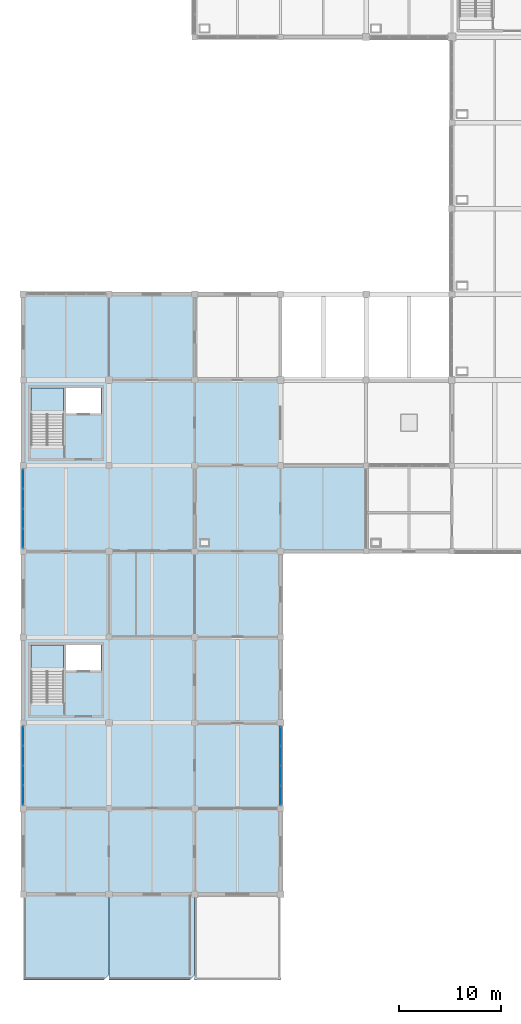
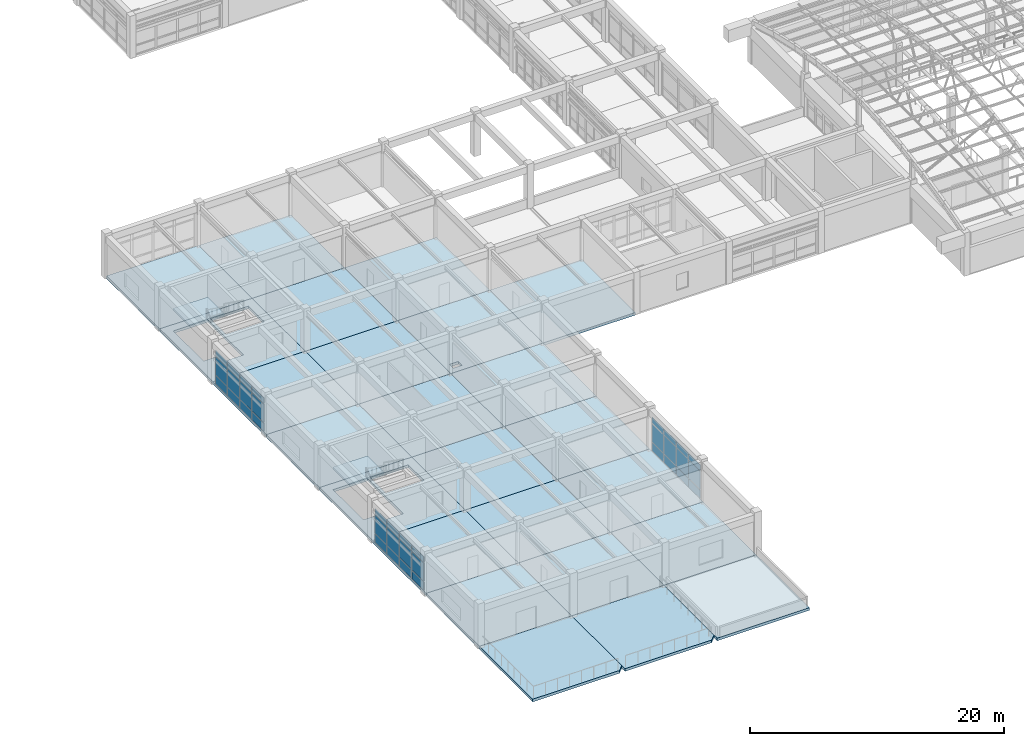
# One storey, part 47 of 74: 36 plates, 26 slabs, 5 elements without a shape of their own.
"""IFC4 building model written with IfcOpenShell, lengths in metres."""

from ifc_helpers import new_model, si_unit, direction, frame, origin, origin_2d, place, context, subcontext, project, spatial, polyline, rectangle, outline, extrude, material, layer, layer_set, type_object, element, aggregate, save


model = new_model("IFC4")

# Units and contexts
model_context = context("Model", 3, precision=1e-05, world=origin(), true_north=direction((0.0, 1.0)))
body_context = subcontext(model_context, "Body", "Model", "MODEL_VIEW")
ifc_project = project(units=[si_unit("LENGTHUNIT", "METRE"), si_unit("AREAUNIT", "SQUARE_METRE"), si_unit("VOLUMEUNIT", "CUBIC_METRE"), si_unit("PLANEANGLEUNIT", "RADIAN"), si_unit("MASSUNIT", "GRAM", prefix="KILO")], contexts=[model_context])

# Site, building, storey
site_placement = place(None, origin())
site = spatial("IfcSite", under=ifc_project, at=site_placement, CompositionType="ELEMENT")
building_placement = place(site_placement, origin())
building = spatial("IfcBuilding", under=site, at=building_placement, Name="Porcellanite Civic Hall", CompositionType="ELEMENT")
storey_placement = place(building_placement, frame((0.0, 0.0, 14.760009765625)))
storey = spatial("IfcBuildingStorey", under=building, at=storey_placement, Name="L03", CompositionType="ELEMENT", Elevation=14.760009765625)

# Curtain wall, plates
ifc_material_1 = material(Name="Anodised aluminium and solar laminated glass", Category="aluminium")
ifc_layer_1 = layer(ifc_material_1, 0.179931640625)
ifc_layer_set_1 = layer_set([ifc_layer_1], Name="Anodised aluminium and solar laminated glass")
curtain_wall_type = type_object("IfcCurtainWallType", Name="CW-SYS05", PredefinedType="NOTDEFINED", material=ifc_layer_set_1)
curtain_wall_1_placement = place(storey_placement, origin())
curtain_wall_1 = element("IfcCurtainWall", 1, at=curtain_wall_1_placement, inside=storey, type_object=curtain_wall_type, Name="Curtain wall CW-183", PredefinedType="NOTDEFINED")
ifc_material_2 = material(Name="Cyclone laminated solar-control low-E glass", Category="glass")
ifc_layer_2 = layer(ifc_material_2, 0.028076171875)
ifc_layer_set_2 = layer_set([ifc_layer_2], Name="Cyclone laminated solar-control low-E glass")
plate_type = type_object("IfcPlateType", Name="CWP-03", PredefinedType="CURTAIN_PANEL", material=ifc_layer_set_2)
plate_1_placement = place(storey_placement, frame((8.39990234375, 26.51513671875, 0.06005859375), z_axis=(0.0, 0.0, 1.0), x_axis=(0.0, 1.0, 0.0)))
plate_1 = element("IfcPlate", 2, at=plate_1_placement, type_object=plate_type, Name="CW-183 panel 1.1", PredefinedType="CURTAIN_PANEL", context=body_context, shape_type="SweptSolid", body=[
    extrude(rectangle(XDim=1.838134765625, YDim=0.028076171875, at=origin_2d()), origin(), (0.0, 0.0, 1.0), 0.81005859375),
])
plate_2_placement = place(storey_placement, frame((8.39990234375, 26.51513671875, 0.93017578125), z_axis=(0.0, 0.0, 1.0), x_axis=(0.0, 1.0, 0.0)))
plate_2 = element("IfcPlate", 3, at=plate_2_placement, type_object=plate_type, Name="CW-183 panel 1.2", PredefinedType="CURTAIN_PANEL", context=body_context, shape_type="SweptSolid", body=[
    extrude(rectangle(XDim=1.838134765625, YDim=0.028076171875, at=origin_2d()), origin(), (0.0, 0.0, 1.0), 1.760009765625),
])
plate_3_placement = place(storey_placement, frame((8.39990234375, 26.51513671875, 2.75), z_axis=(0.0, 0.0, 1.0), x_axis=(0.0, 1.0, 0.0)))
plate_3 = element("IfcPlate", 4, at=plate_3_placement, type_object=plate_type, Name="CW-183 panel 1.3", PredefinedType="CURTAIN_PANEL", context=body_context, shape_type="SweptSolid", body=[
    extrude(rectangle(XDim=1.838134765625, YDim=0.028076171875, at=origin_2d()), origin(), (0.0, 0.0, 1.0), 0.56005859375),
])
plate_4_placement = place(storey_placement, frame((8.39990234375, 28.44091796875, 0.06005859375), z_axis=(0.0, 0.0, 1.0), x_axis=(0.0, 1.0, 0.0)))
plate_4 = element("IfcPlate", 5, at=plate_4_placement, type_object=plate_type, Name="CW-183 panel 2.1", PredefinedType="CURTAIN_PANEL", context=body_context, shape_type="SweptSolid", body=[
    extrude(rectangle(XDim=1.873291015625, YDim=0.028076171875, at=origin_2d()), origin(), (0.0, 0.0, 1.0), 0.81005859375),
])
plate_5_placement = place(storey_placement, frame((8.39990234375, 28.44091796875, 0.93017578125), z_axis=(0.0, 0.0, 1.0), x_axis=(0.0, 1.0, 0.0)))
plate_5 = element("IfcPlate", 6, at=plate_5_placement, type_object=plate_type, Name="CW-183 panel 2.2", PredefinedType="CURTAIN_PANEL", context=body_context, shape_type="SweptSolid", body=[
    extrude(rectangle(XDim=1.873291015625, YDim=0.028076171875, at=origin_2d()), origin(), (0.0, 0.0, 1.0), 1.760009765625),
])
plate_6_placement = place(storey_placement, frame((8.39990234375, 28.44091796875, 2.75), z_axis=(0.0, 0.0, 1.0), x_axis=(0.0, 1.0, 0.0)))
plate_6 = element("IfcPlate", 7, at=plate_6_placement, type_object=plate_type, Name="CW-183 panel 2.3", PredefinedType="CURTAIN_PANEL", context=body_context, shape_type="SweptSolid", body=[
    extrude(rectangle(XDim=1.873291015625, YDim=0.028076171875, at=origin_2d()), origin(), (0.0, 0.0, 1.0), 0.56005859375),
])
plate_7_placement = place(storey_placement, frame((8.39990234375, 30.384033203125, 0.06005859375), z_axis=(0.0, 0.0, 1.0), x_axis=(0.0, 1.0, 0.0)))
plate_7 = element("IfcPlate", 8, at=plate_7_placement, type_object=plate_type, Name="CW-183 panel 3.1", PredefinedType="CURTAIN_PANEL", context=body_context, shape_type="SweptSolid", body=[
    extrude(rectangle(XDim=1.873291015625, YDim=0.028076171875, at=origin_2d()), origin(), (0.0, 0.0, 1.0), 0.81005859375),
])
plate_8_placement = place(storey_placement, frame((8.39990234375, 30.384033203125, 0.93017578125), z_axis=(0.0, 0.0, 1.0), x_axis=(0.0, 1.0, 0.0)))
plate_8 = element("IfcPlate", 9, at=plate_8_placement, type_object=plate_type, Name="CW-183 panel 3.2", PredefinedType="CURTAIN_PANEL", context=body_context, shape_type="SweptSolid", body=[
    extrude(rectangle(XDim=1.873291015625, YDim=0.028076171875, at=origin_2d()), origin(), (0.0, 0.0, 1.0), 1.760009765625),
])
plate_9_placement = place(storey_placement, frame((8.39990234375, 30.384033203125, 2.75), z_axis=(0.0, 0.0, 1.0), x_axis=(0.0, 1.0, 0.0)))
plate_9 = element("IfcPlate", 10, at=plate_9_placement, type_object=plate_type, Name="CW-183 panel 3.3", PredefinedType="CURTAIN_PANEL", context=body_context, shape_type="SweptSolid", body=[
    extrude(rectangle(XDim=1.873291015625, YDim=0.028076171875, at=origin_2d()), origin(), (0.0, 0.0, 1.0), 0.56005859375),
])
plate_10_placement = place(storey_placement, frame((8.39990234375, 32.309814453125, 0.06005859375), z_axis=(0.0, 0.0, 1.0), x_axis=(0.0, 1.0, 0.0)))
plate_10 = element("IfcPlate", 11, at=plate_10_placement, type_object=plate_type, Name="CW-183 panel 4.1", PredefinedType="CURTAIN_PANEL", context=body_context, shape_type="SweptSolid", body=[
    extrude(rectangle(XDim=1.838134765625, YDim=0.028076171875, at=origin_2d()), origin(), (0.0, 0.0, 1.0), 0.81005859375),
])
plate_11_placement = place(storey_placement, frame((8.39990234375, 32.309814453125, 0.93017578125), z_axis=(0.0, 0.0, 1.0), x_axis=(0.0, 1.0, 0.0)))
plate_11 = element("IfcPlate", 12, at=plate_11_placement, type_object=plate_type, Name="CW-183 panel 4.2", PredefinedType="CURTAIN_PANEL", context=body_context, shape_type="SweptSolid", body=[
    extrude(rectangle(XDim=1.838134765625, YDim=0.028076171875, at=origin_2d()), origin(), (0.0, 0.0, 1.0), 1.760009765625),
])
plate_12_placement = place(storey_placement, frame((8.39990234375, 32.309814453125, 2.75), z_axis=(0.0, 0.0, 1.0), x_axis=(0.0, 1.0, 0.0)))
plate_12 = element("IfcPlate", 13, at=plate_12_placement, type_object=plate_type, Name="CW-183 panel 4.3", PredefinedType="CURTAIN_PANEL", context=body_context, shape_type="SweptSolid", body=[
    extrude(rectangle(XDim=1.838134765625, YDim=0.028076171875, at=origin_2d()), origin(), (0.0, 0.0, 1.0), 0.56005859375),
])
aggregate(curtain_wall_1, [plate_1, plate_2, plate_3, plate_4, plate_5, plate_6, plate_7, plate_8, plate_9, plate_10, plate_11, plate_12])

curtain_wall_2_placement = place(storey_placement, origin())
curtain_wall_2 = element("IfcCurtainWall", 14, at=curtain_wall_2_placement, inside=storey, type_object=curtain_wall_type, Name="Curtain wall CW-184", PredefinedType="NOTDEFINED")
plate_13_placement = place(storey_placement, frame((8.39990234375, 51.690185546875, 0.06005859375), z_axis=(0.0, 0.0, 1.0), x_axis=(0.0, 1.0, 0.0)))
plate_13 = element("IfcPlate", 15, at=plate_13_placement, type_object=plate_type, Name="CW-184 panel 1.1", PredefinedType="CURTAIN_PANEL", context=body_context, shape_type="SweptSolid", body=[
    extrude(rectangle(XDim=1.838134765625, YDim=0.028076171875, at=origin_2d()), origin(), (0.0, 0.0, 1.0), 0.81005859375),
])
plate_14_placement = place(storey_placement, frame((8.39990234375, 51.690185546875, 0.93017578125), z_axis=(0.0, 0.0, 1.0), x_axis=(0.0, 1.0, 0.0)))
plate_14 = element("IfcPlate", 16, at=plate_14_placement, type_object=plate_type, Name="CW-184 panel 1.2", PredefinedType="CURTAIN_PANEL", context=body_context, shape_type="SweptSolid", body=[
    extrude(rectangle(XDim=1.838134765625, YDim=0.028076171875, at=origin_2d()), origin(), (0.0, 0.0, 1.0), 1.760009765625),
])
plate_15_placement = place(storey_placement, frame((8.39990234375, 51.690185546875, 2.75), z_axis=(0.0, 0.0, 1.0), x_axis=(0.0, 1.0, 0.0)))
plate_15 = element("IfcPlate", 17, at=plate_15_placement, type_object=plate_type, Name="CW-184 panel 1.3", PredefinedType="CURTAIN_PANEL", context=body_context, shape_type="SweptSolid", body=[
    extrude(rectangle(XDim=1.838134765625, YDim=0.028076171875, at=origin_2d()), origin(), (0.0, 0.0, 1.0), 0.56005859375),
])
plate_16_placement = place(storey_placement, frame((8.39990234375, 53.615966796875, 0.06005859375), z_axis=(0.0, 0.0, 1.0), x_axis=(0.0, 1.0, 0.0)))
plate_16 = element("IfcPlate", 18, at=plate_16_placement, type_object=plate_type, Name="CW-184 panel 2.1", PredefinedType="CURTAIN_PANEL", context=body_context, shape_type="SweptSolid", body=[
    extrude(rectangle(XDim=1.873291015625, YDim=0.028076171875, at=origin_2d()), origin(), (0.0, 0.0, 1.0), 0.81005859375),
])
plate_17_placement = place(storey_placement, frame((8.39990234375, 53.615966796875, 0.93017578125), z_axis=(0.0, 0.0, 1.0), x_axis=(0.0, 1.0, 0.0)))
plate_17 = element("IfcPlate", 19, at=plate_17_placement, type_object=plate_type, Name="CW-184 panel 2.2", PredefinedType="CURTAIN_PANEL", context=body_context, shape_type="SweptSolid", body=[
    extrude(rectangle(XDim=1.873291015625, YDim=0.028076171875, at=origin_2d()), origin(), (0.0, 0.0, 1.0), 1.760009765625),
])
plate_18_placement = place(storey_placement, frame((8.39990234375, 53.615966796875, 2.75), z_axis=(0.0, 0.0, 1.0), x_axis=(0.0, 1.0, 0.0)))
plate_18 = element("IfcPlate", 20, at=plate_18_placement, type_object=plate_type, Name="CW-184 panel 2.3", PredefinedType="CURTAIN_PANEL", context=body_context, shape_type="SweptSolid", body=[
    extrude(rectangle(XDim=1.873291015625, YDim=0.028076171875, at=origin_2d()), origin(), (0.0, 0.0, 1.0), 0.56005859375),
])
plate_19_placement = place(storey_placement, frame((8.39990234375, 55.55908203125, 0.06005859375), z_axis=(0.0, 0.0, 1.0), x_axis=(0.0, 1.0, 0.0)))
plate_19 = element("IfcPlate", 21, at=plate_19_placement, type_object=plate_type, Name="CW-184 panel 3.1", PredefinedType="CURTAIN_PANEL", context=body_context, shape_type="SweptSolid", body=[
    extrude(rectangle(XDim=1.873291015625, YDim=0.028076171875, at=origin_2d()), origin(), (0.0, 0.0, 1.0), 0.81005859375),
])
plate_20_placement = place(storey_placement, frame((8.39990234375, 55.55908203125, 0.93017578125), z_axis=(0.0, 0.0, 1.0), x_axis=(0.0, 1.0, 0.0)))
plate_20 = element("IfcPlate", 22, at=plate_20_placement, type_object=plate_type, Name="CW-184 panel 3.2", PredefinedType="CURTAIN_PANEL", context=body_context, shape_type="SweptSolid", body=[
    extrude(rectangle(XDim=1.873291015625, YDim=0.028076171875, at=origin_2d()), origin(), (0.0, 0.0, 1.0), 1.760009765625),
])
plate_21_placement = place(storey_placement, frame((8.39990234375, 55.55908203125, 2.75), z_axis=(0.0, 0.0, 1.0), x_axis=(0.0, 1.0, 0.0)))
plate_21 = element("IfcPlate", 23, at=plate_21_placement, type_object=plate_type, Name="CW-184 panel 3.3", PredefinedType="CURTAIN_PANEL", context=body_context, shape_type="SweptSolid", body=[
    extrude(rectangle(XDim=1.873291015625, YDim=0.028076171875, at=origin_2d()), origin(), (0.0, 0.0, 1.0), 0.56005859375),
])
plate_22_placement = place(storey_placement, frame((8.39990234375, 57.48486328125, 0.06005859375), z_axis=(0.0, 0.0, 1.0), x_axis=(0.0, 1.0, 0.0)))
plate_22 = element("IfcPlate", 24, at=plate_22_placement, type_object=plate_type, Name="CW-184 panel 4.1", PredefinedType="CURTAIN_PANEL", context=body_context, shape_type="SweptSolid", body=[
    extrude(rectangle(XDim=1.838134765625, YDim=0.028076171875, at=origin_2d()), origin(), (0.0, 0.0, 1.0), 0.81005859375),
])
plate_23_placement = place(storey_placement, frame((8.39990234375, 57.48486328125, 0.93017578125), z_axis=(0.0, 0.0, 1.0), x_axis=(0.0, 1.0, 0.0)))
plate_23 = element("IfcPlate", 25, at=plate_23_placement, type_object=plate_type, Name="CW-184 panel 4.2", PredefinedType="CURTAIN_PANEL", context=body_context, shape_type="SweptSolid", body=[
    extrude(rectangle(XDim=1.838134765625, YDim=0.028076171875, at=origin_2d()), origin(), (0.0, 0.0, 1.0), 1.760009765625),
])
plate_24_placement = place(storey_placement, frame((8.39990234375, 57.48486328125, 2.75), z_axis=(0.0, 0.0, 1.0), x_axis=(0.0, 1.0, 0.0)))
plate_24 = element("IfcPlate", 26, at=plate_24_placement, type_object=plate_type, Name="CW-184 panel 4.3", PredefinedType="CURTAIN_PANEL", context=body_context, shape_type="SweptSolid", body=[
    extrude(rectangle(XDim=1.838134765625, YDim=0.028076171875, at=origin_2d()), origin(), (0.0, 0.0, 1.0), 0.56005859375),
])
aggregate(curtain_wall_2, [plate_13, plate_14, plate_15, plate_16, plate_17, plate_18, plate_19, plate_20, plate_21, plate_22, plate_23, plate_24])

curtain_wall_3_placement = place(storey_placement, origin())
curtain_wall_3 = element("IfcCurtainWall", 27, at=curtain_wall_3_placement, inside=storey, type_object=curtain_wall_type, Name="Curtain wall CW-186", PredefinedType="NOTDEFINED")
plate_25_placement = place(storey_placement, frame((33.60009765625, 32.284912109375, 0.06005859375), z_axis=(0.0, 0.0, 1.0), x_axis=(0.0, -1.0, 0.0)))
plate_25 = element("IfcPlate", 28, at=plate_25_placement, type_object=plate_type, Name="CW-186 panel 1.1", PredefinedType="CURTAIN_PANEL", context=body_context, shape_type="SweptSolid", body=[
    extrude(rectangle(XDim=1.838134765625, YDim=0.028076171875, at=origin_2d()), origin(), (0.0, 0.0, 1.0), 0.81005859375),
])
plate_26_placement = place(storey_placement, frame((33.60009765625, 32.284912109375, 0.93017578125), z_axis=(0.0, 0.0, 1.0), x_axis=(0.0, -1.0, 0.0)))
plate_26 = element("IfcPlate", 29, at=plate_26_placement, type_object=plate_type, Name="CW-186 panel 1.2", PredefinedType="CURTAIN_PANEL", context=body_context, shape_type="SweptSolid", body=[
    extrude(rectangle(XDim=1.838134765625, YDim=0.028076171875, at=origin_2d()), origin(), (0.0, 0.0, 1.0), 1.760009765625),
])
plate_27_placement = place(storey_placement, frame((33.60009765625, 32.284912109375, 2.75), z_axis=(0.0, 0.0, 1.0), x_axis=(0.0, -1.0, 0.0)))
plate_27 = element("IfcPlate", 30, at=plate_27_placement, type_object=plate_type, Name="CW-186 panel 1.3", PredefinedType="CURTAIN_PANEL", context=body_context, shape_type="SweptSolid", body=[
    extrude(rectangle(XDim=1.838134765625, YDim=0.028076171875, at=origin_2d()), origin(), (0.0, 0.0, 1.0), 0.56005859375),
])
plate_28_placement = place(storey_placement, frame((33.60009765625, 30.359130859375, 0.06005859375), z_axis=(0.0, 0.0, 1.0), x_axis=(0.0, -1.0, 0.0)))
plate_28 = element("IfcPlate", 31, at=plate_28_placement, type_object=plate_type, Name="CW-186 panel 2.1", PredefinedType="CURTAIN_PANEL", context=body_context, shape_type="SweptSolid", body=[
    extrude(rectangle(XDim=1.873291015625, YDim=0.028076171875, at=origin_2d()), origin(), (0.0, 0.0, 1.0), 0.81005859375),
])
plate_29_placement = place(storey_placement, frame((33.60009765625, 30.359130859375, 0.93017578125), z_axis=(0.0, 0.0, 1.0), x_axis=(0.0, -1.0, 0.0)))
plate_29 = element("IfcPlate", 32, at=plate_29_placement, type_object=plate_type, Name="CW-186 panel 2.2", PredefinedType="CURTAIN_PANEL", context=body_context, shape_type="SweptSolid", body=[
    extrude(rectangle(XDim=1.873291015625, YDim=0.028076171875, at=origin_2d()), origin(), (0.0, 0.0, 1.0), 1.760009765625),
])
plate_30_placement = place(storey_placement, frame((33.60009765625, 30.359130859375, 2.75), z_axis=(0.0, 0.0, 1.0), x_axis=(0.0, -1.0, 0.0)))
plate_30 = element("IfcPlate", 33, at=plate_30_placement, type_object=plate_type, Name="CW-186 panel 2.3", PredefinedType="CURTAIN_PANEL", context=body_context, shape_type="SweptSolid", body=[
    extrude(rectangle(XDim=1.873291015625, YDim=0.028076171875, at=origin_2d()), origin(), (0.0, 0.0, 1.0), 0.56005859375),
])
plate_31_placement = place(storey_placement, frame((33.60009765625, 28.415771484375, 0.06005859375), z_axis=(0.0, 0.0, 1.0), x_axis=(0.0, -1.0, 0.0)))
plate_31 = element("IfcPlate", 34, at=plate_31_placement, type_object=plate_type, Name="CW-186 panel 3.1", PredefinedType="CURTAIN_PANEL", context=body_context, shape_type="SweptSolid", body=[
    extrude(rectangle(XDim=1.873291015625, YDim=0.028076171875, at=origin_2d()), origin(), (0.0, 0.0, 1.0), 0.81005859375),
])
plate_32_placement = place(storey_placement, frame((33.60009765625, 28.415771484375, 0.93017578125), z_axis=(0.0, 0.0, 1.0), x_axis=(0.0, -1.0, 0.0)))
plate_32 = element("IfcPlate", 35, at=plate_32_placement, type_object=plate_type, Name="CW-186 panel 3.2", PredefinedType="CURTAIN_PANEL", context=body_context, shape_type="SweptSolid", body=[
    extrude(rectangle(XDim=1.873291015625, YDim=0.028076171875, at=origin_2d()), origin(), (0.0, 0.0, 1.0), 1.760009765625),
])
plate_33_placement = place(storey_placement, frame((33.60009765625, 28.415771484375, 2.75), z_axis=(0.0, 0.0, 1.0), x_axis=(0.0, -1.0, 0.0)))
plate_33 = element("IfcPlate", 36, at=plate_33_placement, type_object=plate_type, Name="CW-186 panel 3.3", PredefinedType="CURTAIN_PANEL", context=body_context, shape_type="SweptSolid", body=[
    extrude(rectangle(XDim=1.873291015625, YDim=0.028076171875, at=origin_2d()), origin(), (0.0, 0.0, 1.0), 0.56005859375),
])
plate_34_placement = place(storey_placement, frame((33.60009765625, 26.490234375, 0.06005859375), z_axis=(0.0, 0.0, 1.0), x_axis=(0.0, -1.0, 0.0)))
plate_34 = element("IfcPlate", 37, at=plate_34_placement, type_object=plate_type, Name="CW-186 panel 4.1", PredefinedType="CURTAIN_PANEL", context=body_context, shape_type="SweptSolid", body=[
    extrude(rectangle(XDim=1.838134765625, YDim=0.028076171875, at=origin_2d()), origin(), (0.0, 0.0, 1.0), 0.81005859375),
])
plate_35_placement = place(storey_placement, frame((33.60009765625, 26.490234375, 0.93017578125), z_axis=(0.0, 0.0, 1.0), x_axis=(0.0, -1.0, 0.0)))
plate_35 = element("IfcPlate", 38, at=plate_35_placement, type_object=plate_type, Name="CW-186 panel 4.2", PredefinedType="CURTAIN_PANEL", context=body_context, shape_type="SweptSolid", body=[
    extrude(rectangle(XDim=1.838134765625, YDim=0.028076171875, at=origin_2d()), origin(), (0.0, 0.0, 1.0), 1.760009765625),
])
plate_36_placement = place(storey_placement, frame((33.60009765625, 26.490234375, 2.75), z_axis=(0.0, 0.0, 1.0), x_axis=(0.0, -1.0, 0.0)))
plate_36 = element("IfcPlate", 39, at=plate_36_placement, type_object=plate_type, Name="CW-186 panel 4.3", PredefinedType="CURTAIN_PANEL", context=body_context, shape_type="SweptSolid", body=[
    extrude(rectangle(XDim=1.838134765625, YDim=0.028076171875, at=origin_2d()), origin(), (0.0, 0.0, 1.0), 0.56005859375),
])
aggregate(curtain_wall_3, [plate_25, plate_26, plate_27, plate_28, plate_29, plate_30, plate_31, plate_32, plate_33, plate_34, plate_35, plate_36])

# Stair, slab
ifc_material_3 = material(Name="Concrete N40 (40 MPa)", Category="concrete")
stair_type = type_object("IfcStairType", Name="STR-HT24", PredefinedType="HALF_TURN_STAIR", material=ifc_material_3)
stair_1_placement = place(storey_placement, origin())
stair_1 = element("IfcStair", 40, at=stair_1_placement, inside=storey, type_object=stair_type, Name="Fire stair ST-01 L03", PredefinedType="HALF_TURN_STAIR")
ifc_material_4 = material(Name="Concrete N40 (40 MPa)", Category="concrete")
ifc_layer_3 = layer(ifc_material_4, 0.179931640625)
ifc_layer_set_3 = layer_set([ifc_layer_3], Name="Concrete N40 (40 MPa)")
slab_type_1 = type_object("IfcSlabType", Name="LND-18", PredefinedType="LANDING", material=ifc_layer_set_3)
slab_1_placement = place(storey_placement, frame((0.0, 0.0, 1.97998046875)))
slab_1 = element("IfcSlab", 41, at=slab_1_placement, type_object=slab_type_1, Name="ST-01 landing 1", PredefinedType="LANDING", context=body_context, shape_type="SweptSolid", body=[
    extrude(outline(polyline([(9.160400390625, 38.625), (12.319580078125, 38.625), (12.319580078125, 41.239501953125), (9.160400390625, 41.239501953125), (9.160400390625, 38.625)])), origin(), (0.0, 0.0, 1.0), 0.179931640625),
])
aggregate(stair_1, [slab_1])

stair_2_placement = place(storey_placement, origin())
stair_2 = element("IfcStair", 42, at=stair_2_placement, inside=storey, type_object=stair_type, Name="Fire stair ST-02 L03", PredefinedType="HALF_TURN_STAIR")
slab_2_placement = place(storey_placement, frame((0.0, 0.0, 1.97998046875)))
slab_2 = element("IfcSlab", 43, at=slab_2_placement, type_object=slab_type_1, Name="ST-02 landing 1", PredefinedType="LANDING", context=body_context, shape_type="SweptSolid", body=[
    extrude(outline(polyline([(9.160400390625, 63.824951171875), (12.319580078125, 63.824951171875), (12.319580078125, 66.439453125), (9.160400390625, 66.439453125), (9.160400390625, 63.824951171875)])), origin(), (0.0, 0.0, 1.0), 0.179931640625),
])
aggregate(stair_2, [slab_2])

# Slabs
ifc_material_5 = material(Name="Concrete N40 (40 MPa)", Category="concrete")
ifc_layer_4 = layer(ifc_material_5, 0.25)
ifc_layer_set_4 = layer_set([ifc_layer_4], Name="Concrete N40 (40 MPa)")
slab_type_2 = type_object("IfcSlabType", Name="SL-FL250", PredefinedType="FLOOR", material=ifc_layer_set_4)
slab_3_placement = place(storey_placement, frame((0.0, 0.0, -0.25)))
element("IfcSlab", 44, at=slab_3_placement, inside=storey, type_object=slab_type_2, Name="Slab L03 bay 2-4", PredefinedType="FLOOR", context=body_context, shape_type="SweptSolid", body=[
    extrude(outline(polyline([(8.39990234375, 25.199951171875), (16.800048828125, 25.199951171875), (16.800048828125, 33.60009765625), (8.39990234375, 33.60009765625), (8.39990234375, 25.199951171875)])), origin(), (0.0, 0.0, 1.0), 0.25),
])
slab_4_placement = place(storey_placement, frame((0.0, 0.0, -0.25)))
element("IfcSlab", 45, at=slab_4_placement, inside=storey, type_object=slab_type_2, Name="Slab L03 bay 2-5", PredefinedType="FLOOR", context=body_context, shape_type="SweptSolid", body=[
    extrude(outline(polyline([(8.39990234375, 33.60009765625), (16.800048828125, 33.60009765625), (16.800048828125, 42.0), (8.39990234375, 42.0), (8.39990234375, 33.60009765625)]), holes=[polyline([(9.179931640625, 36.449951171875), (10.760009765625, 36.449951171875), (10.760009765625, 35.60009765625), (12.320068359375, 35.60009765625), (12.320068359375, 41.219970703125), (9.179931640625, 41.219970703125), (9.179931640625, 36.449951171875)]), polyline([(12.56005859375, 38.739990234375), (16.02001953125, 38.739990234375), (16.02001953125, 41.219970703125), (12.56005859375, 41.219970703125), (12.56005859375, 38.739990234375)])]), origin(), (0.0, 0.0, 1.0), 0.25),
])
slab_5_placement = place(storey_placement, frame((0.0, 0.0, -0.25)))
element("IfcSlab", 46, at=slab_5_placement, inside=storey, type_object=slab_type_2, Name="Slab L03 bay 2-7", PredefinedType="FLOOR", context=body_context, shape_type="SweptSolid", body=[
    extrude(outline(polyline([(8.39990234375, 50.39990234375), (16.800048828125, 50.39990234375), (16.800048828125, 58.800048828125), (8.39990234375, 58.800048828125), (8.39990234375, 50.39990234375)])), origin(), (0.0, 0.0, 1.0), 0.25),
])
slab_6_placement = place(storey_placement, frame((0.0, 0.0, -0.25)))
element("IfcSlab", 47, at=slab_6_placement, inside=storey, type_object=slab_type_2, Name="Slab L03 bay 2-8", PredefinedType="FLOOR", context=body_context, shape_type="SweptSolid", body=[
    extrude(outline(polyline([(8.39990234375, 58.800048828125), (16.800048828125, 58.800048828125), (16.800048828125, 67.199951171875), (8.39990234375, 67.199951171875), (8.39990234375, 58.800048828125)]), holes=[polyline([(9.179931640625, 61.64990234375), (10.760009765625, 61.64990234375), (10.760009765625, 60.800048828125), (12.320068359375, 60.800048828125), (12.320068359375, 66.419921875), (9.179931640625, 66.419921875), (9.179931640625, 61.64990234375)]), polyline([(12.56005859375, 63.93994140625), (16.02001953125, 63.93994140625), (16.02001953125, 66.419921875), (12.56005859375, 66.419921875), (12.56005859375, 63.93994140625)])]), origin(), (0.0, 0.0, 1.0), 0.25),
])
slab_7_placement = place(storey_placement, frame((0.0, 0.0, -0.25)))
element("IfcSlab", 48, at=slab_7_placement, inside=storey, type_object=slab_type_2, Name="Slab L03 bay 3-3", PredefinedType="FLOOR", context=body_context, shape_type="SweptSolid", body=[
    extrude(outline(polyline([(16.800048828125, 16.800048828125), (25.199951171875, 16.800048828125), (25.199951171875, 25.199951171875), (16.800048828125, 25.199951171875), (16.800048828125, 16.800048828125)])), origin(), (0.0, 0.0, 1.0), 0.25),
])
slab_8_placement = place(storey_placement, frame((0.0, 0.0, -0.25)))
element("IfcSlab", 49, at=slab_8_placement, inside=storey, type_object=slab_type_2, Name="Slab L03 bay 3-4", PredefinedType="FLOOR", context=body_context, shape_type="SweptSolid", body=[
    extrude(outline(polyline([(16.800048828125, 25.199951171875), (25.199951171875, 25.199951171875), (25.199951171875, 33.60009765625), (16.800048828125, 33.60009765625), (16.800048828125, 25.199951171875)])), origin(), (0.0, 0.0, 1.0), 0.25),
])
slab_9_placement = place(storey_placement, frame((0.0, 0.0, -0.25)))
element("IfcSlab", 50, at=slab_9_placement, inside=storey, type_object=slab_type_2, Name="Slab L03 bay 3-6", PredefinedType="FLOOR", context=body_context, shape_type="SweptSolid", body=[
    extrude(outline(polyline([(16.800048828125, 42.0), (25.199951171875, 42.0), (25.199951171875, 50.39990234375), (16.800048828125, 50.39990234375), (16.800048828125, 42.0)])), origin(), (0.0, 0.0, 1.0), 0.25),
])
slab_10_placement = place(storey_placement, frame((0.0, 0.0, -0.25)))
element("IfcSlab", 51, at=slab_10_placement, inside=storey, type_object=slab_type_2, Name="Slab L03 bay 3-7", PredefinedType="FLOOR", context=body_context, shape_type="SweptSolid", body=[
    extrude(outline(polyline([(16.800048828125, 50.39990234375), (25.199951171875, 50.39990234375), (25.199951171875, 58.800048828125), (16.800048828125, 58.800048828125), (16.800048828125, 50.39990234375)])), origin(), (0.0, 0.0, 1.0), 0.25),
])
slab_11_placement = place(storey_placement, frame((0.0, 0.0, -0.25)))
element("IfcSlab", 52, at=slab_11_placement, inside=storey, type_object=slab_type_2, Name="Slab L03 bay 3-9", PredefinedType="FLOOR", context=body_context, shape_type="SweptSolid", body=[
    extrude(outline(polyline([(16.800048828125, 67.199951171875), (25.199951171875, 67.199951171875), (25.199951171875, 75.60009765625), (16.800048828125, 75.60009765625), (16.800048828125, 67.199951171875)])), origin(), (0.0, 0.0, 1.0), 0.25),
])
slab_12_placement = place(storey_placement, frame((0.0, 0.0, -0.25)))
element("IfcSlab", 53, at=slab_12_placement, inside=storey, type_object=slab_type_2, Name="Slab L03 bay 4-3", PredefinedType="FLOOR", context=body_context, shape_type="SweptSolid", body=[
    extrude(outline(polyline([(25.199951171875, 16.800048828125), (33.60009765625, 16.800048828125), (33.60009765625, 25.199951171875), (25.199951171875, 25.199951171875), (25.199951171875, 16.800048828125)])), origin(), (0.0, 0.0, 1.0), 0.25),
])
slab_13_placement = place(storey_placement, frame((0.0, 0.0, -0.25)))
element("IfcSlab", 54, at=slab_13_placement, inside=storey, type_object=slab_type_2, Name="Slab L03 bay 4-5", PredefinedType="FLOOR", context=body_context, shape_type="SweptSolid", body=[
    extrude(outline(polyline([(25.199951171875, 33.60009765625), (33.60009765625, 33.60009765625), (33.60009765625, 42.0), (25.199951171875, 42.0), (25.199951171875, 33.60009765625)])), origin(), (0.0, 0.0, 1.0), 0.25),
])
slab_14_placement = place(storey_placement, frame((0.0, 0.0, -0.25)))
element("IfcSlab", 55, at=slab_14_placement, inside=storey, type_object=slab_type_2, Name="Slab L03 bay 4-6", PredefinedType="FLOOR", context=body_context, shape_type="SweptSolid", body=[
    extrude(outline(polyline([(25.199951171875, 42.0), (33.60009765625, 42.0), (33.60009765625, 50.39990234375), (25.199951171875, 50.39990234375), (25.199951171875, 42.0)])), origin(), (0.0, 0.0, 1.0), 0.25),
])
slab_15_placement = place(storey_placement, frame((0.0, 0.0, -0.25)))
element("IfcSlab", 56, at=slab_15_placement, inside=storey, type_object=slab_type_2, Name="Slab L03 bay 4-8", PredefinedType="FLOOR", context=body_context, shape_type="SweptSolid", body=[
    extrude(outline(polyline([(25.199951171875, 58.800048828125), (33.60009765625, 58.800048828125), (33.60009765625, 67.199951171875), (25.199951171875, 67.199951171875), (25.199951171875, 58.800048828125)])), origin(), (0.0, 0.0, 1.0), 0.25),
])
slab_16_placement = place(storey_placement, frame((0.0, 0.0, -0.25)))
element("IfcSlab", 57, at=slab_16_placement, inside=storey, type_object=slab_type_2, Name="Slab L03 bay 5-7", PredefinedType="FLOOR", context=body_context, shape_type="SweptSolid", body=[
    extrude(outline(polyline([(33.60009765625, 50.39990234375), (42.0, 50.39990234375), (42.0, 58.800048828125), (33.60009765625, 58.800048828125), (33.60009765625, 50.39990234375)])), origin(), (0.0, 0.0, 1.0), 0.25),
])
ifc_material_6 = material(Name="Concrete N40 (40 MPa)", Category="concrete")
ifc_layer_5 = layer(ifc_material_6, 0.260009765625)
ifc_layer_set_5 = layer_set([ifc_layer_5], Name="Concrete N40 (40 MPa)")
slab_type_3 = type_object("IfcSlabType", Name="SL-FL260", PredefinedType="FLOOR", material=ifc_layer_set_5)
slab_17_placement = place(storey_placement, frame((0.0, 0.0, -0.260009765625)))
element("IfcSlab", 58, at=slab_17_placement, inside=storey, type_object=slab_type_3, Name="Slab L03 bay 2-3", PredefinedType="FLOOR", context=body_context, shape_type="SweptSolid", body=[
    extrude(outline(polyline([(8.39990234375, 16.800048828125), (16.800048828125, 16.800048828125), (16.800048828125, 25.199951171875), (8.39990234375, 25.199951171875), (8.39990234375, 16.800048828125)])), origin(), (0.0, 0.0, 1.0), 0.260009765625),
])
slab_18_placement = place(storey_placement, frame((0.0, 0.0, -0.260009765625)))
element("IfcSlab", 59, at=slab_18_placement, inside=storey, type_object=slab_type_3, Name="Slab L03 bay 2-6", PredefinedType="FLOOR", context=body_context, shape_type="SweptSolid", body=[
    extrude(outline(polyline([(8.39990234375, 42.0), (16.800048828125, 42.0), (16.800048828125, 50.39990234375), (8.39990234375, 50.39990234375), (8.39990234375, 42.0)])), origin(), (0.0, 0.0, 1.0), 0.260009765625),
])
slab_19_placement = place(storey_placement, frame((0.0, 0.0, -0.260009765625)))
element("IfcSlab", 60, at=slab_19_placement, inside=storey, type_object=slab_type_3, Name="Slab L03 bay 2-9", PredefinedType="FLOOR", context=body_context, shape_type="SweptSolid", body=[
    extrude(outline(polyline([(8.39990234375, 67.199951171875), (16.800048828125, 67.199951171875), (16.800048828125, 75.60009765625), (8.39990234375, 75.60009765625), (8.39990234375, 67.199951171875)])), origin(), (0.0, 0.0, 1.0), 0.260009765625),
])
slab_20_placement = place(storey_placement, frame((0.0, 0.0, -0.260009765625)))
element("IfcSlab", 61, at=slab_20_placement, inside=storey, type_object=slab_type_3, Name="Slab L03 bay 3-5", PredefinedType="FLOOR", context=body_context, shape_type="SweptSolid", body=[
    extrude(outline(polyline([(16.800048828125, 33.60009765625), (25.199951171875, 33.60009765625), (25.199951171875, 42.0), (16.800048828125, 42.0), (16.800048828125, 33.60009765625)])), origin(), (0.0, 0.0, 1.0), 0.260009765625),
])
slab_21_placement = place(storey_placement, frame((0.0, 0.0, -0.260009765625)))
element("IfcSlab", 62, at=slab_21_placement, inside=storey, type_object=slab_type_3, Name="Slab L03 bay 3-8", PredefinedType="FLOOR", context=body_context, shape_type="SweptSolid", body=[
    extrude(outline(polyline([(16.800048828125, 58.800048828125), (25.199951171875, 58.800048828125), (25.199951171875, 67.199951171875), (16.800048828125, 67.199951171875), (16.800048828125, 58.800048828125)])), origin(), (0.0, 0.0, 1.0), 0.260009765625),
])
slab_22_placement = place(storey_placement, frame((0.0, 0.0, -0.260009765625)))
element("IfcSlab", 63, at=slab_22_placement, inside=storey, type_object=slab_type_3, Name="Slab L03 bay 4-4", PredefinedType="FLOOR", context=body_context, shape_type="SweptSolid", body=[
    extrude(outline(polyline([(25.199951171875, 25.199951171875), (33.60009765625, 25.199951171875), (33.60009765625, 33.60009765625), (25.199951171875, 33.60009765625), (25.199951171875, 25.199951171875)])), origin(), (0.0, 0.0, 1.0), 0.260009765625),
])
slab_23_placement = place(storey_placement, frame((0.0, 0.0, -0.260009765625)))
element("IfcSlab", 64, at=slab_23_placement, inside=storey, type_object=slab_type_3, Name="Slab L03 bay 4-7", PredefinedType="FLOOR", context=body_context, shape_type="SweptSolid", body=[
    extrude(outline(polyline([(25.199951171875, 50.39990234375), (33.60009765625, 50.39990234375), (33.60009765625, 58.800048828125), (25.199951171875, 58.800048828125), (25.199951171875, 50.39990234375)]), holes=[polyline([(25.75, 50.949951171875), (26.550048828125, 50.949951171875), (26.550048828125, 51.550048828125), (25.75, 51.550048828125), (25.75, 50.949951171875)])]), origin(), (0.0, 0.0, 1.0), 0.260009765625),
])
ifc_material_7 = material(Name="Concrete N40 (40 MPa)", Category="concrete")
ifc_layer_6 = layer(ifc_material_7, 0.260009765625)
ifc_layer_set_6 = layer_set([ifc_layer_6], Name="Concrete N40 (40 MPa)")
slab_type_4 = type_object("IfcSlabType", Name="SL-RF260", PredefinedType="ROOF", material=ifc_layer_set_6)
slab_24_placement = place(storey_placement, frame((0.0, 0.0, -0.260009765625)))
element("IfcSlab", 65, at=slab_24_placement, inside=storey, type_object=slab_type_4, Name="Roof slab L03 4-2", PredefinedType="ROOF", context=body_context, shape_type="SweptSolid", body=[
    extrude(outline(polyline([(25.199951171875, 8.39990234375), (33.60009765625, 8.39990234375), (33.60009765625, 16.800048828125), (25.199951171875, 16.800048828125), (25.199951171875, 8.39990234375)])), origin(), (0.0, 0.0, 1.0), 0.260009765625),
])
ifc_material_8 = material(Name="Concrete N40 (40 MPa)", Category="concrete")
ifc_layer_7 = layer(ifc_material_8, 0.260009765625)
ifc_layer_set_7 = layer_set([ifc_layer_7], Name="Concrete N40 (40 MPa)")
slab_type_5 = type_object("IfcSlabType", Name="SL-TER260", PredefinedType="FLOOR", material=ifc_layer_set_7)
slab_25_placement = place(storey_placement, frame((0.0, 0.0, -0.260009765625)))
element("IfcSlab", 66, at=slab_25_placement, inside=storey, type_object=slab_type_5, Name="Civic terrace slab L03 2-2", PredefinedType="FLOOR", context=body_context, shape_type="SweptSolid", body=[
    extrude(outline(polyline([(8.39990234375, 8.39990234375), (16.300048828125, 8.39990234375), (16.800048828125, 8.89990234375), (16.800048828125, 16.800048828125), (8.39990234375, 16.800048828125), (8.39990234375, 8.39990234375)])), origin(), (0.0, 0.0, 1.0), 0.260009765625),
])
slab_26_placement = place(storey_placement, frame((0.0, 0.0, -0.260009765625)))
element("IfcSlab", 67, at=slab_26_placement, inside=storey, type_object=slab_type_5, Name="Civic terrace slab L03 3-2", PredefinedType="FLOOR", context=body_context, shape_type="SweptSolid", body=[
    extrude(outline(polyline([(16.800048828125, 8.39990234375), (24.699951171875, 8.39990234375), (25.199951171875, 8.89990234375), (25.199951171875, 16.800048828125), (16.800048828125, 16.800048828125), (16.800048828125, 8.39990234375)])), origin(), (0.0, 0.0, 1.0), 0.260009765625),
])

save(model, "model.ifc")
